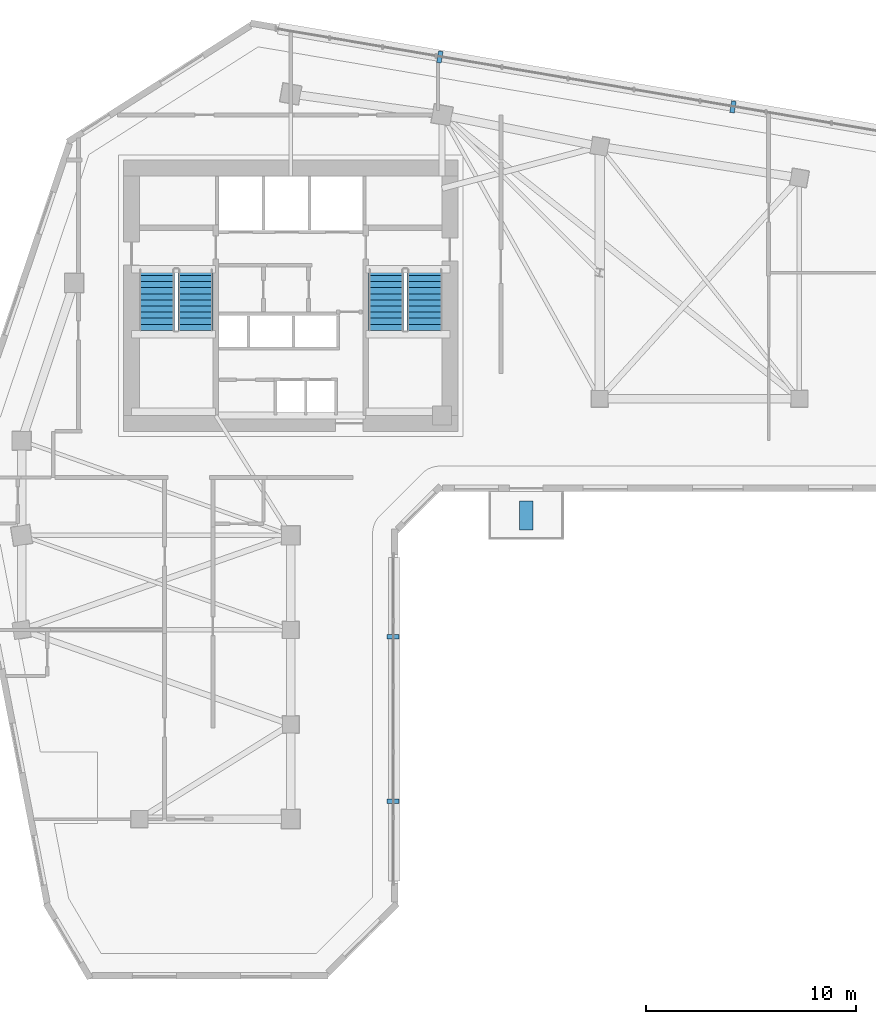
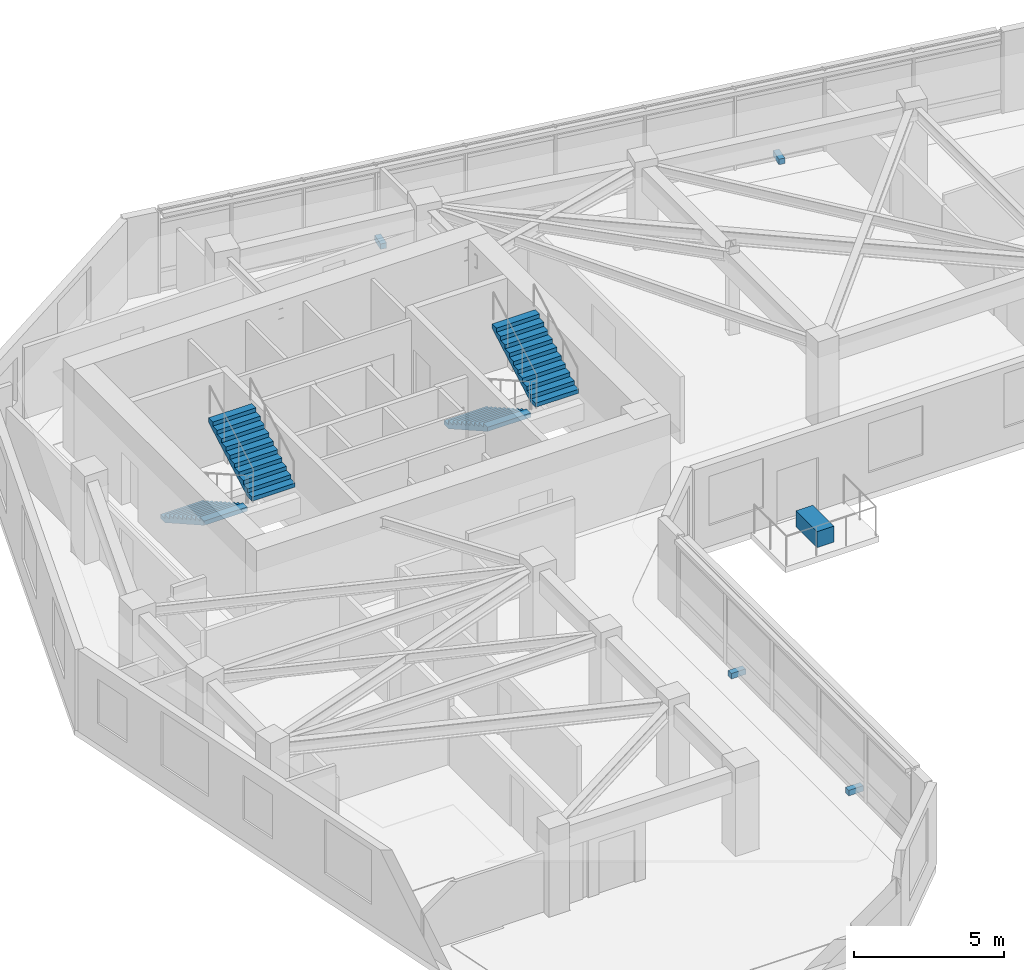
# One storey, part 8 of 12: 5 discrete accessories, 4 stair flights, 2 elements without a shape of their own.
"""IFC4 building model written with IfcOpenShell, lengths in metres."""

from ifc_helpers import new_model, si_unit, direction, frame, origin, origin_2d, place, context, subcontext, project, spatial, polyline, rectangle, outline, extrude, source, transform, mapped, material, type_object, element, aggregate, save


model = new_model("IFC4")

# Units and contexts
model_context = context("Model", 3, precision=1e-05, world=origin(), true_north=direction((0.0, 1.0)))
body_context = subcontext(model_context, "Body", "Model", "MODEL_VIEW")
ifc_project = project(units=[si_unit("LENGTHUNIT", "METRE"), si_unit("AREAUNIT", "SQUARE_METRE"), si_unit("VOLUMEUNIT", "CUBIC_METRE"), si_unit("PLANEANGLEUNIT", "RADIAN"), si_unit("MASSUNIT", "GRAM", prefix="KILO")], contexts=[model_context])

# Site, building, storey
site_placement = place(None, origin())
site = spatial("IfcSite", under=ifc_project, at=site_placement, CompositionType="ELEMENT")
building_placement = place(site_placement, origin())
building = spatial("IfcBuilding", under=site, at=building_placement, Name="Calvemar Wedge Station Tower", CompositionType="ELEMENT")
storey_placement = place(building_placement, frame((0.0, 0.0, 135.800048828125)))
storey = spatial("IfcBuildingStorey", under=building, at=storey_placement, Name="L33", CompositionType="ELEMENT", Elevation=135.800048828125)

# Stair, stair flights
ifc_material_1 = material(Name="Concrete C45", Category="concrete")
stair_type = type_object("IfcStairType", Name="ST-TYPE-3600", PredefinedType="HALF_TURN_STAIR", material=ifc_material_1)
stair_1_placement = place(storey_placement, origin())
stair_1 = element("IfcStair", 1, at=stair_1_placement, inside=storey, type_object=stair_type, Name="L33 Pressurized Core Exit Stair ST-C1", PredefinedType="HALF_TURN_STAIR")
stair_flight_type = type_object("IfcStairFlightType", Name="STF-TYPE-3600", PredefinedType="STRAIGHT", material=ifc_material_1)
stair_flight_1_placement = place(storey_placement, frame((17.429931640625, 41.14990234375, 0.0), z_axis=(0.0, 0.0, 1.0), x_axis=(0.0, -1.0, 0.0)))
stair_flight_1 = element("IfcStairFlight", 2, at=stair_flight_1_placement, type_object=stair_flight_type, Name="ST-C1 flight 1", NumberOfRisers=11, NumberOfTreads=10, PredefinedType="STRAIGHT", RiserHeight=0.163636364, TreadLength=0.29, context=body_context, shape_type="SweptSolid", body=[
    extrude(outline(polyline([(0.0, 0.0), (0.0, 0.16357421875), (0.2900390625, 0.16357421875), (0.2900390625, 0.327392578125), (0.580078125, 0.327392578125), (0.580078125, 0.490966796875), (0.8701171875, 0.490966796875), (0.8701171875, 0.654541015625), (1.159912109375, 0.654541015625), (1.159912109375, 0.818115234375), (1.449951171875, 0.818115234375), (1.449951171875, 0.98193359375), (1.739990234375, 0.98193359375), (1.739990234375, 1.1455078125), (2.030029296875, 1.1455078125), (2.030029296875, 1.30908203125), (2.320068359375, 1.30908203125), (2.320068359375, 1.47265625), (2.610107421875, 1.47265625), (2.610107421875, 1.636474609375), (2.89990234375, 1.636474609375), (2.89990234375, 1.800048828125), (2.89990234375, 1.46435546875), (0.304931640625, 0.0), (0.0, 0.0)])), frame((0.0, 0.830078125, 0.0), z_axis=(0.0, -1.0, 0.0), x_axis=(1.0, 0.0, 0.0)), (0.0, 0.0, 1.0), 1.659912109375),
])
stair_flight_2_placement = place(storey_placement, frame((19.27001953125, 38.25, 1.800048828125), z_axis=(0.0, 0.0, 1.0), x_axis=(0.0, 1.0, 0.0)))
stair_flight_2 = element("IfcStairFlight", 3, at=stair_flight_2_placement, type_object=stair_flight_type, Name="ST-C1 flight 2", NumberOfRisers=11, NumberOfTreads=10, PredefinedType="STRAIGHT", RiserHeight=0.163636364, TreadLength=0.29, context=body_context, shape_type="SweptSolid", body=[
    extrude(outline(polyline([(0.0, 0.0), (0.0, 0.16357421875), (0.2900390625, 0.16357421875), (0.2900390625, 0.327392578125), (0.580078125, 0.327392578125), (0.580078125, 0.490966796875), (0.8701171875, 0.490966796875), (0.8701171875, 0.654541015625), (1.159912109375, 0.654541015625), (1.159912109375, 0.818115234375), (1.449951171875, 0.818115234375), (1.449951171875, 0.98193359375), (1.739990234375, 0.98193359375), (1.739990234375, 1.1455078125), (2.030029296875, 1.1455078125), (2.030029296875, 1.30908203125), (2.320068359375, 1.30908203125), (2.320068359375, 1.47265625), (2.610107421875, 1.47265625), (2.610107421875, 1.636474609375), (2.89990234375, 1.636474609375), (2.89990234375, 1.800048828125), (2.89990234375, 1.46435546875), (0.304931640625, 0.0), (0.0, 0.0)])), frame((0.0, 0.830078125, 0.0), z_axis=(0.0, -1.0, 0.0), x_axis=(1.0, 0.0, 0.0)), (0.0, 0.0, 1.0), 1.659912109375),
])
aggregate(stair_1, [stair_flight_1, stair_flight_2])

stair_2_placement = place(storey_placement, origin())
stair_2 = element("IfcStair", 4, at=stair_2_placement, inside=storey, type_object=stair_type, Name="L33 Pressurized Core Exit Stair ST-C2", PredefinedType="HALF_TURN_STAIR")
stair_flight_3_placement = place(storey_placement, frame((28.330078125, 41.14990234375, 0.0), z_axis=(0.0, 0.0, 1.0), x_axis=(0.0, -1.0, 0.0)))
stair_flight_3 = element("IfcStairFlight", 5, at=stair_flight_3_placement, type_object=stair_flight_type, Name="ST-C2 flight 1", NumberOfRisers=11, NumberOfTreads=10, PredefinedType="STRAIGHT", RiserHeight=0.163636364, TreadLength=0.29, context=body_context, shape_type="SweptSolid", body=[
    extrude(outline(polyline([(0.0, 0.0), (0.0, 0.16357421875), (0.2900390625, 0.16357421875), (0.2900390625, 0.327392578125), (0.580078125, 0.327392578125), (0.580078125, 0.490966796875), (0.8701171875, 0.490966796875), (0.8701171875, 0.654541015625), (1.159912109375, 0.654541015625), (1.159912109375, 0.818115234375), (1.449951171875, 0.818115234375), (1.449951171875, 0.98193359375), (1.739990234375, 0.98193359375), (1.739990234375, 1.1455078125), (2.030029296875, 1.1455078125), (2.030029296875, 1.30908203125), (2.320068359375, 1.30908203125), (2.320068359375, 1.47265625), (2.610107421875, 1.47265625), (2.610107421875, 1.636474609375), (2.89990234375, 1.636474609375), (2.89990234375, 1.800048828125), (2.89990234375, 1.46435546875), (0.304931640625, 0.0), (0.0, 0.0)])), frame((0.0, 0.830078125, 0.0), z_axis=(0.0, -1.0, 0.0), x_axis=(1.0, 0.0, 0.0)), (0.0, 0.0, 1.0), 1.659912109375),
])
stair_flight_4_placement = place(storey_placement, frame((30.169921875, 38.25, 1.800048828125), z_axis=(0.0, 0.0, 1.0), x_axis=(0.0, 1.0, 0.0)))
stair_flight_4 = element("IfcStairFlight", 6, at=stair_flight_4_placement, type_object=stair_flight_type, Name="ST-C2 flight 2", NumberOfRisers=11, NumberOfTreads=10, PredefinedType="STRAIGHT", RiserHeight=0.163636364, TreadLength=0.29, context=body_context, shape_type="SweptSolid", body=[
    extrude(outline(polyline([(0.0, 0.0), (0.0, 0.16357421875), (0.2900390625, 0.16357421875), (0.2900390625, 0.327392578125), (0.580078125, 0.327392578125), (0.580078125, 0.490966796875), (0.8701171875, 0.490966796875), (0.8701171875, 0.654541015625), (1.159912109375, 0.654541015625), (1.159912109375, 0.818115234375), (1.449951171875, 0.818115234375), (1.449951171875, 0.98193359375), (1.739990234375, 0.98193359375), (1.739990234375, 1.1455078125), (2.030029296875, 1.1455078125), (2.030029296875, 1.30908203125), (2.320068359375, 1.30908203125), (2.320068359375, 1.47265625), (2.610107421875, 1.47265625), (2.610107421875, 1.636474609375), (2.89990234375, 1.636474609375), (2.89990234375, 1.800048828125), (2.89990234375, 1.46435546875), (0.304931640625, 0.0), (0.0, 0.0)])), frame((0.0, 0.830078125, 0.0), z_axis=(0.0, -1.0, 0.0), x_axis=(1.0, 0.0, 0.0)), (0.0, 0.0, 1.0), 1.659912109375),
])
aggregate(stair_2, [stair_flight_3, stair_flight_4])

# Discrete accessories
ifc_material_2 = material(Name="Stainless steel AISI 316L", Category="steel")
discrete_accessory_type_1 = type_object("IfcDiscreteAccessoryType", Name="BRK-316L", PredefinedType="BRACKET", material=ifc_material_2)
shared_shape_1 = source(origin(), body_context, "Body", "SweptSolid", [
    extrude(rectangle(XDim=0.219970703125, YDim=0.56005859375, at=origin_2d()), origin(), (0.0, 0.0, 1.0), 0.219970703125),
])
for number, where, z_axis, x_axis, name in (
    (7, (28.666015625, 15.843994140625, 0.0), (0.0, 0.0, 1.0), (0.0, 1.0, 0.0), "Storey L33 Recessed Facade Stainless Bracket 4.1"),
    (8, (28.666015625, 23.67236328125, 0.0), (0.0, 0.0, 1.0), (0.0, 1.0, 0.0), "Storey L33 Recessed Facade Stainless Bracket 4.2"),
    (9, (44.839599609375, 48.882568359375, 0.0), (0.0, 0.0, 1.0), (-0.985850128464, 0.167629126969, 0.0), "Storey L33 Recessed Facade Stainless Bracket 10.1"),
    (10, (30.893310546875, 51.25439453125, 0.0), (0.0, 0.0, 1.0), (-0.985850128464, 0.167629126969, 0.0), "Storey L33 Recessed Facade Stainless Bracket 10.2"),
):
    element("IfcDiscreteAccessory", number, at=place(storey_placement, frame(where, z_axis=z_axis, x_axis=x_axis)), inside=storey, type_object=discrete_accessory_type_1, Name=name, PredefinedType="BRACKET", context=body_context, shape_type="MappedRepresentation", body=[
        mapped(shared_shape_1, transform((0.0, 0.0, 0.0), scale=1.0)),
    ])
ifc_material_3 = material(Name="Precast concrete C45", Category="concrete")
discrete_accessory_type_2 = type_object("IfcDiscreteAccessoryType", Name="ACC-PLANTER", PredefinedType="USERDEFINED", material=ifc_material_3)
shared_shape_2 = source(origin(), body_context, "Body", "SweptSolid", [
    extrude(rectangle(XDim=0.64990234375, YDim=1.39990234375, at=origin_2d()), origin(), (0.0, 0.0, 1.0), 0.64990234375),
])
discrete_accessory_placement = place(storey_placement, frame((35.0, 29.44189453125, 0.0), z_axis=(0.0, 0.0, 1.0), x_axis=(1.0, 0.0, 0.0)))
element("IfcDiscreteAccessory", 11, at=discrete_accessory_placement, inside=storey, type_object=discrete_accessory_type_2, Name="Storey L33 Planted Terrace GFRC Planter", ObjectType="PLANTER", PredefinedType="USERDEFINED", context=body_context, shape_type="MappedRepresentation", body=[
    mapped(shared_shape_2, transform((0.0, 0.0, 0.0), scale=1.0)),
])

save(model, "model.ifc")
